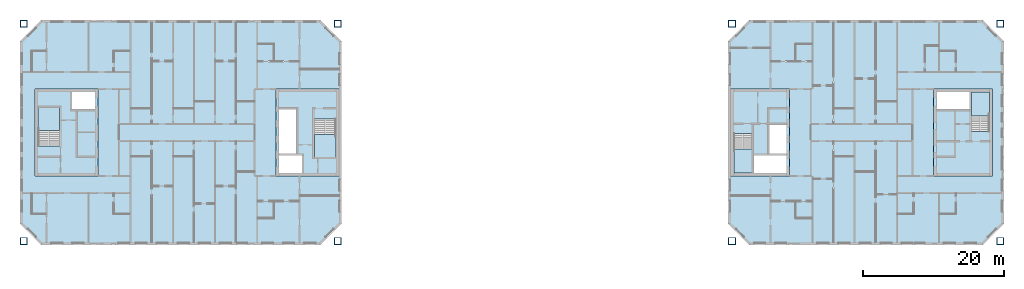
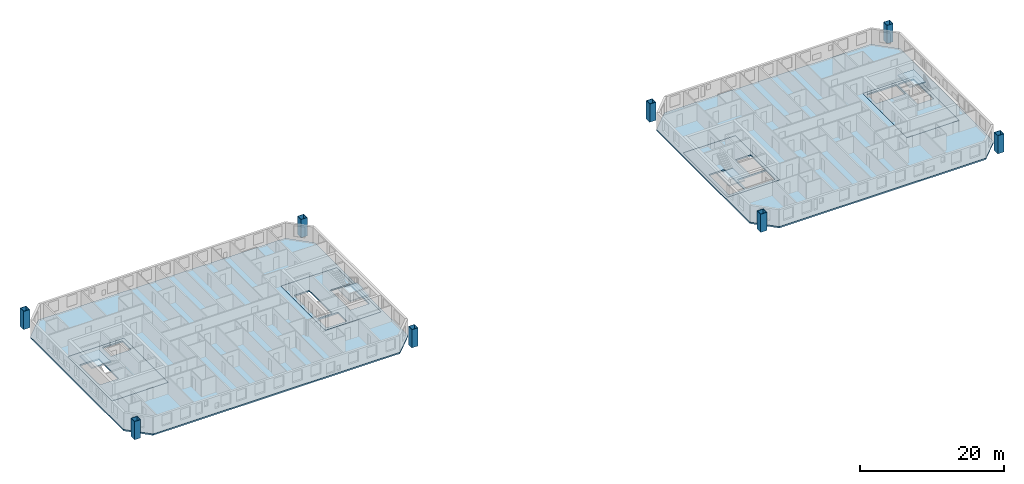
# One storey, part 1 of 16: 10 slabs, 8 columns, 4 elements without a shape of their own.
"""IFC4 building model written with IfcOpenShell, lengths in metres."""

from ifc_helpers import new_model, si_unit, direction, frame, origin, origin_2d, place, context, subcontext, project, spatial, polyline, hollow_rectangle, outline, extrude, material, layer, layer_set, material_profile, profile_set, type_object, element, aggregate, save


model = new_model("IFC4")

# Units and contexts
model_context = context("Model", 3, precision=1e-05, world=origin(), true_north=direction((0.0, 1.0)))
body_context = subcontext(model_context, "Body", "Model", "MODEL_VIEW")
ifc_project = project(units=[si_unit("LENGTHUNIT", "METRE"), si_unit("AREAUNIT", "SQUARE_METRE"), si_unit("VOLUMEUNIT", "CUBIC_METRE"), si_unit("PLANEANGLEUNIT", "RADIAN"), si_unit("MASSUNIT", "GRAM", prefix="KILO")], contexts=[model_context])

# Site, building, storey
site_placement = place(None, origin())
site = spatial("IfcSite", under=ifc_project, at=site_placement, CompositionType="ELEMENT")
building_placement = place(site_placement, origin())
building = spatial("IfcBuilding", under=site, at=building_placement, Name="Tuart Gate Housing", CompositionType="ELEMENT")
storey_placement = place(building_placement, frame((0.0, 0.0, 182.0)))
storey = spatial("IfcBuildingStorey", under=building, at=storey_placement, Name="L51", CompositionType="ELEMENT", Elevation=182.0)

# Columns
ifc_material_1 = material(Name="Steel Grade 350", Category="steel")
ifc_material_profile = material_profile(ifc_material_1, hollow_rectangle(XDim=1.0, YDim=1.0, WallThickness=0.054931640625, at=origin_2d()), Name="BOX 1000x1000x55")
ifc_profile_set = profile_set([ifc_material_profile], Name="Steel Grade 350")
column_type = type_object("IfcColumnType", Name="Mega column BOX 1000x1000x55", PredefinedType="COLUMN", material=ifc_profile_set)
for number, where, z_axis, x_axis, name in (
    (1, (30.800048828125, 54.550048828125, 0.0), (0.0, 0.0, 1.0), (1.0, 0.0, 0.0), "Mega column A south-west L51"),
    (2, (75.449951171875, 54.550048828125, 0.0), (0.0, 0.0, 1.0), (1.0, 0.0, 0.0), "Mega column A south-east L51"),
    (3, (75.449951171875, 85.449951171875, 0.0), (0.0, 0.0, 1.0), (1.0, 0.0, 0.0), "Mega column A north-east L51"),
    (4, (30.800048828125, 85.449951171875, 0.0), (0.0, 0.0, 1.0), (1.0, 0.0, 0.0), "Mega column A north-west L51"),
    (5, (131.550048828125, 54.550048828125, 0.0), (0.0, 0.0, 1.0), (1.0, 0.0, 0.0), "Mega column B south-west L51"),
    (6, (169.699951171875, 54.550048828125, 0.0), (0.0, 0.0, 1.0), (1.0, 0.0, 0.0), "Mega column B south-east L51"),
    (7, (169.699951171875, 85.449951171875, 0.0), (0.0, 0.0, 1.0), (1.0, 0.0, 0.0), "Mega column B north-east L51"),
    (8, (131.550048828125, 85.449951171875, 0.0), (0.0, 0.0, 1.0), (1.0, 0.0, 0.0), "Mega column B north-west L51"),
):
    element("IfcColumn", number, at=place(storey_placement, frame(where, z_axis=z_axis, x_axis=x_axis)), inside=storey, type_object=column_type, Name=name, PredefinedType="COLUMN", context=body_context, shape_type="SweptSolid", body=[
        extrude(hollow_rectangle(XDim=1.0, YDim=1.0, WallThickness=0.054931640625, at=origin_2d()), origin(), (0.0, 0.0, 1.0), 3.10009765625),
    ])

# Slabs
ifc_material_2 = material(Name="Concrete C40", Category="concrete")
ifc_layer_1 = layer(ifc_material_2, 0.25)
ifc_layer_set_1 = layer_set([ifc_layer_1], Name="Core floor slab 250")
slab_type_1 = type_object("IfcSlabType", Name="Core floor slab 250", PredefinedType="FLOOR", material=ifc_layer_set_1)
slab_1_placement = place(storey_placement, frame((0.0, 0.0, -0.25)))
element("IfcSlab", 9, at=slab_1_placement, inside=storey, type_object=slab_type_1, Name="Core floor AG", PredefinedType="FLOOR", context=body_context, shape_type="SweptSolid", body=[
    extrude(outline(polyline([(66.639892578125, 63.800048828125), (75.639892578125, 63.800048828125), (75.639892578125, 76.199951171875), (66.639892578125, 76.199951171875), (66.639892578125, 63.800048828125)]), holes=[polyline([(67.090087890625, 64.25), (70.385009765625, 64.25), (70.385009765625, 66.72509765625), (67.090087890625, 66.72509765625), (67.090087890625, 64.25)]), polyline([(67.090087890625, 66.97509765625), (69.56494140625, 66.97509765625), (69.56494140625, 73.324951171875), (67.090087890625, 73.324951171875), (67.090087890625, 66.97509765625)]), polyline([(72.114990234375, 66.35009765625), (75.18994140625, 66.35009765625), (75.18994140625, 71.929931640625), (72.114990234375, 71.929931640625), (72.114990234375, 66.35009765625)])]), origin(), (0.0, 0.0, 1.0), 0.25),
])
slab_2_placement = place(storey_placement, frame((0.0, 0.0, -0.25)))
element("IfcSlab", 10, at=slab_2_placement, inside=storey, type_object=slab_type_1, Name="Core floor AK", PredefinedType="FLOOR", context=body_context, shape_type="SweptSolid", body=[
    extrude(outline(polyline([(32.360107421875, 63.800048828125), (41.360107421875, 63.800048828125), (41.360107421875, 76.199951171875), (32.360107421875, 76.199951171875), (32.360107421875, 63.800048828125)]), holes=[polyline([(40.909912109375, 75.75), (37.614990234375, 75.75), (37.614990234375, 73.27490234375), (40.909912109375, 73.27490234375), (40.909912109375, 75.75)]), polyline([(35.885009765625, 73.64990234375), (32.81005859375, 73.64990234375), (32.81005859375, 68.070068359375), (35.885009765625, 68.070068359375), (35.885009765625, 73.64990234375)])]), origin(), (0.0, 0.0, 1.0), 0.25),
])
slab_3_placement = place(storey_placement, frame((0.0, 0.0, -0.25)))
element("IfcSlab", 11, at=slab_3_placement, inside=storey, type_object=slab_type_1, Name="Core floor BG", PredefinedType="FLOOR", context=body_context, shape_type="SweptSolid", body=[
    extrude(outline(polyline([(131.360107421875, 63.800048828125), (139.760009765625, 63.800048828125), (139.760009765625, 76.199951171875), (131.360107421875, 76.199951171875), (131.360107421875, 63.800048828125)]), holes=[polyline([(139.31005859375, 66.85009765625), (134.635009765625, 66.85009765625), (134.635009765625, 64.25), (139.31005859375, 64.25), (139.31005859375, 66.85009765625)]), polyline([(139.31005859375, 71.125), (136.8349609375, 71.125), (136.8349609375, 66.97509765625), (139.31005859375, 66.97509765625), (139.31005859375, 71.125)]), polyline([(134.385009765625, 69.85498046875), (131.81005859375, 69.85498046875), (131.81005859375, 64.25), (134.385009765625, 64.25), (134.385009765625, 69.85498046875)])]), origin(), (0.0, 0.0, 1.0), 0.25),
])
slab_4_placement = place(storey_placement, frame((0.0, 0.0, -0.25)))
element("IfcSlab", 12, at=slab_4_placement, inside=storey, type_object=slab_type_1, Name="Core floor BK", PredefinedType="FLOOR", context=body_context, shape_type="SweptSolid", body=[
    extrude(outline(polyline([(160.239990234375, 63.800048828125), (168.639892578125, 63.800048828125), (168.639892578125, 76.199951171875), (160.239990234375, 76.199951171875), (160.239990234375, 63.800048828125)]), holes=[polyline([(160.68994140625, 73.14990234375), (165.364990234375, 73.14990234375), (165.364990234375, 75.75), (160.68994140625, 75.75), (160.68994140625, 73.14990234375)]), polyline([(165.614990234375, 70.14501953125), (168.18994140625, 70.14501953125), (168.18994140625, 75.75), (165.614990234375, 75.75), (165.614990234375, 70.14501953125)])]), origin(), (0.0, 0.0, 1.0), 0.25),
])
ifc_material_3 = material(Name="Concrete C40", Category="concrete")
ifc_layer_2 = layer(ifc_material_3, 0.25)
ifc_layer_set_2 = layer_set([ifc_layer_2], Name="Flat plate 250")
slab_type_2 = type_object("IfcSlabType", Name="Flat plate 250", PredefinedType="FLOOR", material=ifc_layer_set_2)
slab_5_placement = place(storey_placement, frame((0.0, 0.0, -0.25)))
element("IfcSlab", 13, at=slab_5_placement, inside=storey, type_object=slab_type_2, Name="Floor slab A L51", PredefinedType="FLOOR", context=body_context, shape_type="SweptSolid", body=[
    extrude(outline(polyline([(33.25, 86.0), (30.25, 83.0), (30.25, 57.0), (33.25, 54.0), (73.0, 54.0), (76.0, 57.0), (76.0, 83.0), (73.0, 86.0), (33.25, 86.0)]), holes=[polyline([(66.639892578125, 76.199951171875), (75.639892578125, 76.199951171875), (75.639892578125, 63.800048828125), (66.639892578125, 63.800048828125), (66.639892578125, 76.199951171875)]), polyline([(41.360107421875, 76.199951171875), (41.360107421875, 63.800048828125), (32.360107421875, 63.800048828125), (32.360107421875, 76.199951171875), (41.360107421875, 76.199951171875)])]), origin(), (0.0, 0.0, 1.0), 0.25),
])
slab_6_placement = place(storey_placement, frame((0.0, 0.0, -0.25)))
element("IfcSlab", 14, at=slab_6_placement, inside=storey, type_object=slab_type_2, Name="Floor slab B L51", PredefinedType="FLOOR", context=body_context, shape_type="SweptSolid", body=[
    extrude(outline(polyline([(134.0, 86.0), (131.0, 83.0), (131.0, 57.0), (134.0, 54.0), (167.25, 54.0), (170.25, 57.0), (170.25, 83.0), (167.25, 86.0), (134.0, 86.0)]), holes=[polyline([(131.360107421875, 76.199951171875), (139.760009765625, 76.199951171875), (139.760009765625, 63.800048828125), (131.360107421875, 63.800048828125), (131.360107421875, 76.199951171875)]), polyline([(168.639892578125, 76.199951171875), (168.639892578125, 63.800048828125), (160.239990234375, 63.800048828125), (160.239990234375, 76.199951171875), (168.639892578125, 76.199951171875)])]), origin(), (0.0, 0.0, 1.0), 0.25),
])

# Stair, slab
ifc_material_4 = material(Name="Concrete C40", Category="concrete")
stair_type_1 = type_object("IfcStairType", Name="Core stair 1500", PredefinedType="HALF_TURN_STAIR", material=ifc_material_4)
stair_1_placement = place(storey_placement, origin())
stair_1 = element("IfcStair", 15, at=stair_1_placement, inside=storey, type_object=stair_type_1, Name="Stair SA1", PredefinedType="HALF_TURN_STAIR")
ifc_material_5 = material(Name="Concrete C40", Category="concrete")
ifc_layer_3 = layer(ifc_material_5, 0.199951171875)
ifc_layer_set_3 = layer_set([ifc_layer_3], Name="Stair landing 200")
slab_type_3 = type_object("IfcSlabType", Name="Stair landing 200", PredefinedType="LANDING", material=ifc_layer_set_3)
slab_7_placement = place(storey_placement, frame((0.0, 0.0, 1.35009765625)))
slab_7 = element("IfcSlab", 16, at=slab_7_placement, type_object=slab_type_3, Name="SA1 landing 1", PredefinedType="LANDING", context=body_context, shape_type="SweptSolid", body=[
    extrude(outline(polyline([(72.114990234375, 66.35009765625), (75.18994140625, 66.35009765625), (75.18994140625, 69.7099609375), (72.114990234375, 69.7099609375), (72.114990234375, 66.35009765625)])), origin(), (0.0, 0.0, 1.0), 0.199951171875),
])
aggregate(stair_1, [slab_7])

stair_2_placement = place(storey_placement, origin())
stair_2 = element("IfcStair", 17, at=stair_2_placement, inside=storey, type_object=stair_type_1, Name="Stair SA2", PredefinedType="HALF_TURN_STAIR")
slab_8_placement = place(storey_placement, frame((0.0, 0.0, 1.35009765625)))
slab_8 = element("IfcSlab", 18, at=slab_8_placement, type_object=slab_type_3, Name="SA2 landing 1", PredefinedType="LANDING", context=body_context, shape_type="SweptSolid", body=[
    extrude(outline(polyline([(35.885009765625, 73.64990234375), (32.81005859375, 73.64990234375), (32.81005859375, 70.2900390625), (35.885009765625, 70.2900390625), (35.885009765625, 73.64990234375)])), origin(), (0.0, 0.0, 1.0), 0.199951171875),
])
aggregate(stair_2, [slab_8])

ifc_material_6 = material(Name="Concrete C40", Category="concrete")
stair_type_2 = type_object("IfcStairType", Name="Core stair 1250", PredefinedType="HALF_TURN_STAIR", material=ifc_material_6)
stair_3_placement = place(storey_placement, origin())
stair_3 = element("IfcStair", 19, at=stair_3_placement, inside=storey, type_object=stair_type_2, Name="Stair SB1", PredefinedType="HALF_TURN_STAIR")
slab_9_placement = place(storey_placement, frame((0.0, 0.0, 1.35009765625)))
slab_9 = element("IfcSlab", 20, at=slab_9_placement, type_object=slab_type_3, Name="SB1 landing 1", PredefinedType="LANDING", context=body_context, shape_type="SweptSolid", body=[
    extrude(outline(polyline([(134.385009765625, 67.635009765625), (131.81005859375, 67.635009765625), (131.81005859375, 64.25), (134.385009765625, 64.25), (134.385009765625, 67.635009765625)])), origin(), (0.0, 0.0, 1.0), 0.199951171875),
])
aggregate(stair_3, [slab_9])

stair_4_placement = place(storey_placement, origin())
stair_4 = element("IfcStair", 21, at=stair_4_placement, inside=storey, type_object=stair_type_2, Name="Stair SB2", PredefinedType="HALF_TURN_STAIR")
slab_10_placement = place(storey_placement, frame((0.0, 0.0, 1.35009765625)))
slab_10 = element("IfcSlab", 22, at=slab_10_placement, type_object=slab_type_3, Name="SB2 landing 1", PredefinedType="LANDING", context=body_context, shape_type="SweptSolid", body=[
    extrude(outline(polyline([(165.614990234375, 72.364990234375), (168.18994140625, 72.364990234375), (168.18994140625, 75.75), (165.614990234375, 75.75), (165.614990234375, 72.364990234375)])), origin(), (0.0, 0.0, 1.0), 0.199951171875),
])
aggregate(stair_4, [slab_10])

save(model, "model.ifc")
